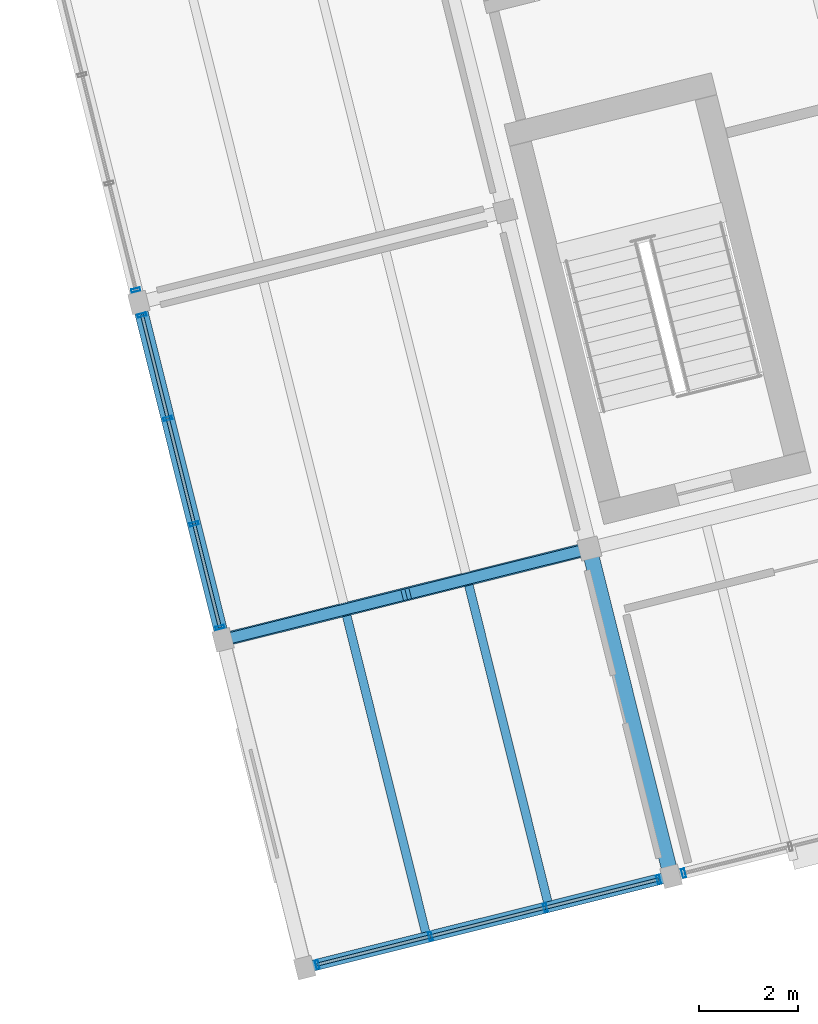
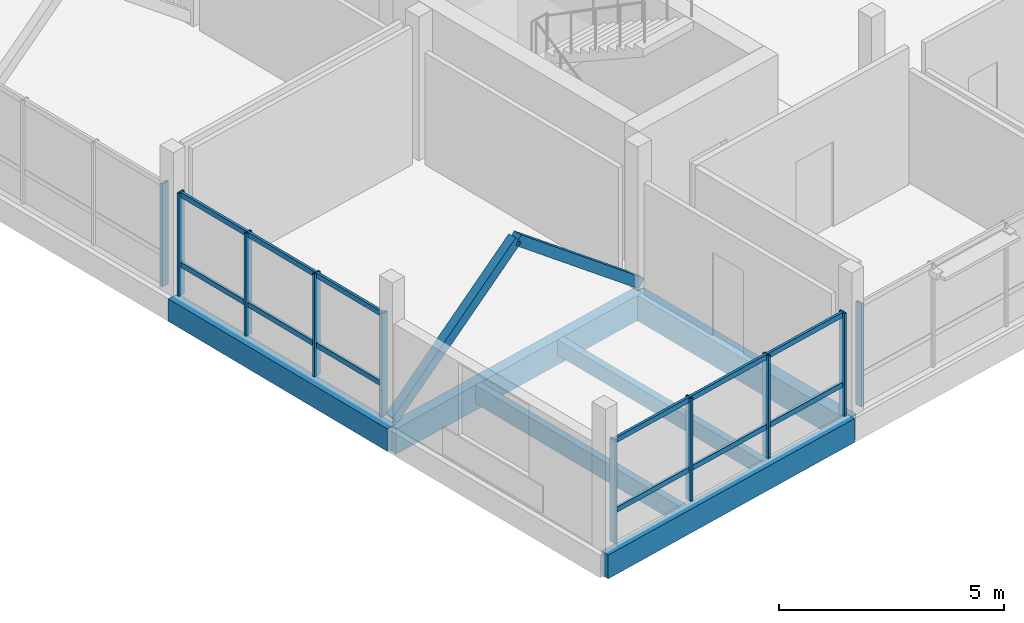
# One storey, part 2 of 27: 24 members, 6 beams, 4 elements without a shape of their own.
"""IFC4 building model written with IfcOpenShell, lengths in metres."""

from ifc_helpers import new_model, si_unit, direction, frame, origin, origin_2d, place, context, subcontext, project, spatial, rectangle, hollow_rectangle, extrude, material, layer, layer_set, material_profile, profile_set, type_object, element, aggregate, save


model = new_model("IFC4")

# Units and contexts
model_context = context("Model", 3, precision=1e-05, world=origin(), true_north=direction((0.0, 1.0)))
body_context = subcontext(model_context, "Body", "Model", "MODEL_VIEW")
ifc_project = project(units=[si_unit("LENGTHUNIT", "METRE"), si_unit("AREAUNIT", "SQUARE_METRE"), si_unit("VOLUMEUNIT", "CUBIC_METRE"), si_unit("PLANEANGLEUNIT", "RADIAN"), si_unit("MASSUNIT", "GRAM", prefix="KILO")], contexts=[model_context])

# Site, building, storey
site_placement = place(None, origin())
site = spatial("IfcSite", under=ifc_project, at=site_placement, CompositionType="ELEMENT")
building_placement = place(site_placement, origin())
building = spatial("IfcBuilding", under=site, at=building_placement, Name="Meriwether Solvik Hall", CompositionType="ELEMENT")
storey_placement = place(building_placement, frame((0.0, 0.0, 33.89990234375)))
storey = spatial("IfcBuildingStorey", under=building, at=storey_placement, Name="L08", CompositionType="ELEMENT", Elevation=33.89990234375)

# Beams
ifc_material_1 = material(Name="Glulam Douglas-Fir 24F-V8 GL28h", Category="wood")
ifc_material_profile_1 = material_profile(ifc_material_1, rectangle(XDim=0.221923828125, YDim=0.64501953125, at=origin_2d()), Name="GLB-222X645")
ifc_profile_set_1 = profile_set([ifc_material_profile_1], Name="Glulam Douglas-Fir 24F-V8 GL28h")
beam_type_1 = type_object("IfcBeamType", Name="BM-GL-222X645", PredefinedType="SPANDREL", material=ifc_profile_set_1)
beam_1_placement = place(storey_placement, frame((68.60009765625, 41.199951171875, -0.50244140625), z_axis=(0.970295366785, 0.241923337436, 0.0), x_axis=(-0.241923337436, 0.970295366785, 0.0)))
element("IfcBeam", 1, at=beam_1_placement, inside=storey, type_object=beam_type_1, Name="Tower Girder TA:T1-T2 (L08)", PredefinedType="SPANDREL", context=body_context, shape_type="SweptSolid", body=[
    extrude(rectangle(XDim=0.221923828125, YDim=0.64501953125, at=origin_2d()), origin(), (0.0, 0.0, 1.0), 7.60009765625),
])
ifc_material_2 = material(Name="Glulam Douglas-Fir 24F-V8 GL28h", Category="wood")
ifc_material_profile_2 = material_profile(ifc_material_2, rectangle(XDim=0.27294921875, YDim=0.610107421875, at=origin_2d()), Name="GLB-273X610")
ifc_profile_set_2 = profile_set([ifc_material_profile_2], Name="Glulam Douglas-Fir 24F-V8 GL28h")
beam_type_2 = type_object("IfcBeamType", Name="BM-GL-273X610", PredefinedType="SPANDREL", material=ifc_profile_set_2)
beam_2_placement = place(storey_placement, frame((66.954833984375, 47.798095703125, -0.48486328125), z_axis=(-0.241911879182, 0.970298223594, 0.0), x_axis=(-0.970298223594, -0.241911879182, 0.0)))
element("IfcBeam", 2, at=beam_2_placement, inside=storey, type_object=beam_type_2, Name="Tower Girder T1:TB-TC (L08)", PredefinedType="SPANDREL", context=body_context, shape_type="SweptSolid", body=[
    extrude(rectangle(XDim=0.27294921875, YDim=0.610107421875, at=origin_2d()), origin(), (0.0, 0.0, 1.0), 7.0),
])
ifc_material_3 = material(Name="Glulam Douglas-Fir 24F-V8 GL28h", Category="wood")
ifc_material_profile_3 = material_profile(ifc_material_3, rectangle(XDim=0.27294921875, YDim=0.68505859375, at=origin_2d()), Name="GLB-273X685")
ifc_profile_set_3 = profile_set([ifc_material_profile_3], Name="Glulam Douglas-Fir 24F-V8 GL28h")
beam_type_3 = type_object("IfcBeamType", Name="BM-GL-273X685", PredefinedType="BEAM", material=ifc_profile_set_3)
beam_3_placement = place(storey_placement, frame((66.954833984375, 47.798095703125, -0.5224609375), z_axis=(0.970295366785, 0.241923337436, 0.0), x_axis=(-0.241923337436, 0.970295366785, 0.0)))
element("IfcBeam", 3, at=beam_3_placement, inside=storey, type_object=beam_type_3, Name="Tower Girder TB:T1-T2 (L08)", PredefinedType="BEAM", context=body_context, shape_type="SweptSolid", body=[
    extrude(rectangle(XDim=0.27294921875, YDim=0.68505859375, at=origin_2d()), origin(), (0.0, 0.0, 1.0), 7.60009765625),
])
ifc_material_4 = material(Name="Glulam Douglas-Fir 24F-V8 GL28h", Category="wood")
ifc_material_profile_4 = material_profile(ifc_material_4, rectangle(XDim=0.31494140625, YDim=0.68505859375, at=origin_2d()), Name="GLB-315X685")
ifc_profile_set_4 = profile_set([ifc_material_profile_4], Name="Glulam Douglas-Fir 24F-V8 GL28h")
beam_type_4 = type_object("IfcBeamType", Name="BM-GL-315X685", PredefinedType="BEAM", material=ifc_profile_set_4)
beam_4_placement = place(storey_placement, frame((75.974365234375, 43.03857421875, -0.5224609375), z_axis=(-0.241944251278, 0.970290152106, 0.0), x_axis=(-0.970290152106, -0.241944251278, 0.0)))
element("IfcBeam", 4, at=beam_4_placement, inside=storey, type_object=beam_type_4, Name="Tower Girder T2:TA-TB (L08)", PredefinedType="BEAM", context=body_context, shape_type="SweptSolid", body=[
    extrude(rectangle(XDim=0.31494140625, YDim=0.68505859375, at=origin_2d()), origin(), (0.0, 0.0, 1.0), 6.80029296875),
])

# Curtain wall, members
ifc_material_5 = material(Name="Thermally Broken Anodised Aluminium 6063-T6 and Low-E Glass", Category="aluminium")
ifc_layer_1 = layer(ifc_material_5, 0.179931640625)
ifc_layer_set_1 = layer_set([ifc_layer_1], Name="Thermally Broken Anodised Aluminium 6063-T6 and Low-E Glass")
curtain_wall_type_1 = type_object("IfcCurtainWallType", Name="CW-UNIT-F", PredefinedType="USERDEFINED", material=ifc_layer_set_1)
curtain_wall_1_placement = place(storey_placement, origin())
curtain_wall_1 = element("IfcCurtainWall", 5, at=curtain_wall_1_placement, inside=storey, type_object=curtain_wall_type_1, Name="Curtain Wall E0_B0 (L08)", ObjectType="UNITISED CURTAIN WALL", PredefinedType="USERDEFINED")
ifc_material_6 = material(Name="Anodised Aluminium 6063-T6", Category="aluminium")
ifc_material_profile_5 = material_profile(ifc_material_6, hollow_rectangle(XDim=0.06494140625, YDim=0.179931640625, WallThickness=0.00439453125, at=origin_2d()), Name="CWM-65X180")
ifc_profile_set_5 = profile_set([ifc_material_profile_5], Name="Anodised Aluminium 6063-T6")
member_type_1 = type_object("IfcMemberType", Name="CW-MUL-65X180", PredefinedType="MULLION", material=ifc_profile_set_5)
member_1_placement = place(storey_placement, frame((75.721923828125, 42.975830078125, 0.0), z_axis=(0.0, 0.0, 1.0), x_axis=(-0.970295727285, -0.241921891552, 0.0)))
member_1 = element("IfcMember", 6, at=member_1_placement, type_object=member_type_1, Name="Curtain Wall Mullion 1", PredefinedType="MULLION", context=body_context, shape_type="SweptSolid", body=[
    extrude(hollow_rectangle(XDim=0.06494140625, YDim=0.179931640625, WallThickness=0.00439453125, at=origin_2d()), origin(), (0.0, 0.0, 1.0), 2.7900390625),
])
member_2_placement = place(storey_placement, frame((73.4443359375, 42.407958984375, 0.0), z_axis=(0.0, 0.0, 1.0), x_axis=(-0.970295727285, -0.241921891552, 0.0)))
member_2 = element("IfcMember", 7, at=member_2_placement, type_object=member_type_1, Name="Curtain Wall Mullion 2", PredefinedType="MULLION", context=body_context, shape_type="SweptSolid", body=[
    extrude(hollow_rectangle(XDim=0.06494140625, YDim=0.179931640625, WallThickness=0.00439453125, at=origin_2d()), origin(), (0.0, 0.0, 1.0), 2.7900390625),
])
member_3_placement = place(storey_placement, frame((71.1298828125, 41.830810546875, 0.0), z_axis=(0.0, 0.0, 1.0), x_axis=(-0.970295727285, -0.241921891552, 0.0)))
member_3 = element("IfcMember", 8, at=member_3_placement, type_object=member_type_1, Name="Curtain Wall Mullion 3", PredefinedType="MULLION", context=body_context, shape_type="SweptSolid", body=[
    extrude(hollow_rectangle(XDim=0.06494140625, YDim=0.179931640625, WallThickness=0.00439453125, at=origin_2d()), origin(), (0.0, 0.0, 1.0), 2.7900390625),
])
member_4_placement = place(storey_placement, frame((68.852294921875, 41.262939453125, 0.0), z_axis=(0.0, 0.0, 1.0), x_axis=(-0.970295727285, -0.241921891552, 0.0)))
member_4 = element("IfcMember", 9, at=member_4_placement, type_object=member_type_1, Name="Curtain Wall Mullion 4", PredefinedType="MULLION", context=body_context, shape_type="SweptSolid", body=[
    extrude(hollow_rectangle(XDim=0.06494140625, YDim=0.179931640625, WallThickness=0.00439453125, at=origin_2d()), origin(), (0.0, 0.0, 1.0), 2.7900390625),
])

# Curtain wall, member
ifc_material_7 = material(Name="Thermally Broken Anodised Aluminium 6063-T6 and Low-E Glass", Category="aluminium")
ifc_layer_2 = layer(ifc_material_7, 0.179931640625)
ifc_layer_set_2 = layer_set([ifc_layer_2], Name="Thermally Broken Anodised Aluminium 6063-T6 and Low-E Glass")
curtain_wall_type_2 = type_object("IfcCurtainWallType", Name="CW-UNIT-G", PredefinedType="USERDEFINED", material=ifc_layer_set_2)
curtain_wall_2_placement = place(storey_placement, origin())
curtain_wall_2 = element("IfcCurtainWall", 10, at=curtain_wall_2_placement, inside=storey, type_object=curtain_wall_type_2, Name="Curtain Wall E0_B1 (L08)", ObjectType="UNITISED CURTAIN WALL", PredefinedType="USERDEFINED")
member_5_placement = place(storey_placement, frame((76.2265625, 43.1015625, 0.0), z_axis=(0.0, 0.0, 1.0), x_axis=(-0.970295738259, -0.241921847539, 0.0)))
member_5 = element("IfcMember", 11, at=member_5_placement, type_object=member_type_1, Name="Curtain Wall Mullion 4", PredefinedType="MULLION", context=body_context, shape_type="SweptSolid", body=[
    extrude(hollow_rectangle(XDim=0.06494140625, YDim=0.179931640625, WallThickness=0.00439453125, at=origin_2d()), origin(), (0.0, 0.0, 1.0), 2.7900390625),
])
aggregate(curtain_wall_2, [member_5])

# Curtain wall, members
curtain_wall_3_placement = place(storey_placement, origin())
curtain_wall_3 = element("IfcCurtainWall", 12, at=curtain_wall_3_placement, inside=storey, type_object=curtain_wall_type_2, Name="Curtain Wall E7_B1 (L08)", ObjectType="UNITISED CURTAIN WALL", PredefinedType="USERDEFINED")
member_6_placement = place(storey_placement, frame((66.89208984375, 48.05029296875, 0.0), z_axis=(0.0, 0.0, 1.0), x_axis=(-0.241921787504, 0.970295753227, 0.0)))
member_6 = element("IfcMember", 13, at=member_6_placement, type_object=member_type_1, Name="Curtain Wall Mullion 1", PredefinedType="MULLION", context=body_context, shape_type="SweptSolid", body=[
    extrude(hollow_rectangle(XDim=0.06494140625, YDim=0.179931640625, WallThickness=0.00439453125, at=origin_2d()), origin(), (0.0, 0.0, 1.0), 2.7900390625),
])
member_7_placement = place(storey_placement, frame((66.37255859375, 50.1337890625, 0.0), z_axis=(0.0, 0.0, 1.0), x_axis=(-0.241921787504, 0.970295753227, 0.0)))
member_7 = element("IfcMember", 14, at=member_7_placement, type_object=member_type_1, Name="Curtain Wall Mullion 2", PredefinedType="MULLION", context=body_context, shape_type="SweptSolid", body=[
    extrude(hollow_rectangle(XDim=0.06494140625, YDim=0.179931640625, WallThickness=0.00439453125, at=origin_2d()), origin(), (0.0, 0.0, 1.0), 2.7900390625),
])
member_8_placement = place(storey_placement, frame((65.84375, 52.254150390625, 0.0), z_axis=(0.0, 0.0, 1.0), x_axis=(-0.241921787504, 0.970295753227, 0.0)))
member_8 = element("IfcMember", 15, at=member_8_placement, type_object=member_type_1, Name="Curtain Wall Mullion 3", PredefinedType="MULLION", context=body_context, shape_type="SweptSolid", body=[
    extrude(hollow_rectangle(XDim=0.06494140625, YDim=0.179931640625, WallThickness=0.00439453125, at=origin_2d()), origin(), (0.0, 0.0, 1.0), 2.7900390625),
])
member_9_placement = place(storey_placement, frame((65.324462890625, 54.337890625, 0.0), z_axis=(0.0, 0.0, 1.0), x_axis=(-0.241921787504, 0.970295753227, 0.0)))
member_9 = element("IfcMember", 16, at=member_9_placement, type_object=member_type_1, Name="Curtain Wall Mullion 4", PredefinedType="MULLION", context=body_context, shape_type="SweptSolid", body=[
    extrude(hollow_rectangle(XDim=0.06494140625, YDim=0.179931640625, WallThickness=0.00439453125, at=origin_2d()), origin(), (0.0, 0.0, 1.0), 2.7900390625),
])

# Curtain wall, member
ifc_material_8 = material(Name="Thermally Broken Anodised Aluminium 6063-T6 and Low-E Glass", Category="aluminium")
ifc_layer_3 = layer(ifc_material_8, 0.179931640625)
ifc_layer_set_3 = layer_set([ifc_layer_3], Name="Thermally Broken Anodised Aluminium 6063-T6 and Low-E Glass")
curtain_wall_type_3 = type_object("IfcCurtainWallType", Name="CW-UNIT-A", PredefinedType="USERDEFINED", material=ifc_layer_set_3)
curtain_wall_4_placement = place(storey_placement, origin())
curtain_wall_4 = element("IfcCurtainWall", 17, at=curtain_wall_4_placement, inside=storey, type_object=curtain_wall_type_3, Name="Curtain Wall E7_B2 (L08)", ObjectType="UNITISED CURTAIN WALL", PredefinedType="USERDEFINED")
member_10_placement = place(storey_placement, frame((65.198486328125, 54.84228515625, 0.0), z_axis=(0.0, 0.0, 1.0), x_axis=(-0.241921847539, 0.970295738259, 0.0)))
member_10 = element("IfcMember", 18, at=member_10_placement, type_object=member_type_1, Name="Curtain Wall Mullion 1", PredefinedType="MULLION", context=body_context, shape_type="SweptSolid", body=[
    extrude(hollow_rectangle(XDim=0.06494140625, YDim=0.179931640625, WallThickness=0.00439453125, at=origin_2d()), origin(), (0.0, 0.0, 1.0), 2.7900390625),
])
aggregate(curtain_wall_4, [member_10])

# Member
ifc_material_9 = material(Name="Anodised Aluminium 6063-T6", Category="aluminium")
ifc_material_profile_6 = material_profile(ifc_material_9, hollow_rectangle(XDim=0.06494140625, YDim=0.139892578125, WallThickness=0.00439453125, at=origin_2d()), Name="CWT-65X140")
ifc_profile_set_6 = profile_set([ifc_material_profile_6], Name="Anodised Aluminium 6063-T6")
member_type_2 = type_object("IfcMemberType", Name="CW-TRN-65X140", PredefinedType="USERDEFINED", material=ifc_profile_set_6)
member_11_placement = place(storey_placement, frame((75.721923828125, 42.975830078125, 0.837158203125), z_axis=(-0.970295260897, -0.241923762123, 0.0), x_axis=(0.241923762123, -0.970295260897, 0.0)))
member_11 = element("IfcMember", 19, at=member_11_placement, type_object=member_type_2, Name="Curtain Wall Transom 1-sill", ObjectType="TRANSOM", PredefinedType="USERDEFINED", context=body_context, shape_type="SweptSolid", body=[
    extrude(hollow_rectangle(XDim=0.06494140625, YDim=0.139892578125, WallThickness=0.00439453125, at=origin_2d()), origin(), (0.0, 0.0, 1.0), 2.347412109375),
])

member_12_placement = place(storey_placement, frame((75.721923828125, 42.975830078125, 2.72998046875), z_axis=(-0.970295260897, -0.241923762123, 0.0), x_axis=(0.241923762123, -0.970295260897, 0.0)))
member_12 = element("IfcMember", 20, at=member_12_placement, type_object=member_type_2, Name="Curtain Wall Transom 1-head", ObjectType="TRANSOM", PredefinedType="USERDEFINED", context=body_context, shape_type="SweptSolid", body=[
    extrude(hollow_rectangle(XDim=0.06494140625, YDim=0.139892578125, WallThickness=0.00439453125, at=origin_2d()), origin(), (0.0, 0.0, 1.0), 2.347412109375),
])

member_13_placement = place(storey_placement, frame((73.4443359375, 42.407958984375, 0.837158203125), z_axis=(-0.970286823405, -0.241957600267, 0.0), x_axis=(0.241957600267, -0.970286823405, 0.0)))
member_13 = element("IfcMember", 21, at=member_13_placement, type_object=member_type_2, Name="Curtain Wall Transom 2-sill", ObjectType="TRANSOM", PredefinedType="USERDEFINED", context=body_context, shape_type="SweptSolid", body=[
    extrude(hollow_rectangle(XDim=0.06494140625, YDim=0.139892578125, WallThickness=0.00439453125, at=origin_2d()), origin(), (0.0, 0.0, 1.0), 2.38525390625),
])

member_14_placement = place(storey_placement, frame((73.4443359375, 42.407958984375, 2.72998046875), z_axis=(-0.970286823405, -0.241957600267, 0.0), x_axis=(0.241957600267, -0.970286823405, 0.0)))
member_14 = element("IfcMember", 22, at=member_14_placement, type_object=member_type_2, Name="Curtain Wall Transom 2-head", ObjectType="TRANSOM", PredefinedType="USERDEFINED", context=body_context, shape_type="SweptSolid", body=[
    extrude(hollow_rectangle(XDim=0.06494140625, YDim=0.139892578125, WallThickness=0.00439453125, at=origin_2d()), origin(), (0.0, 0.0, 1.0), 2.38525390625),
])

member_15_placement = place(storey_placement, frame((71.1298828125, 41.830810546875, 0.837158203125), z_axis=(-0.970295260897, -0.241923762123, 0.0), x_axis=(0.241923762123, -0.970295260897, 0.0)))
member_15 = element("IfcMember", 23, at=member_15_placement, type_object=member_type_2, Name="Curtain Wall Transom 3-sill", ObjectType="TRANSOM", PredefinedType="USERDEFINED", context=body_context, shape_type="SweptSolid", body=[
    extrude(hollow_rectangle(XDim=0.06494140625, YDim=0.139892578125, WallThickness=0.00439453125, at=origin_2d()), origin(), (0.0, 0.0, 1.0), 2.347412109375),
])

member_16_placement = place(storey_placement, frame((71.1298828125, 41.830810546875, 2.72998046875), z_axis=(-0.970295260897, -0.241923762123, 0.0), x_axis=(0.241923762123, -0.970295260897, 0.0)))
member_16 = element("IfcMember", 24, at=member_16_placement, type_object=member_type_2, Name="Curtain Wall Transom 3-head", ObjectType="TRANSOM", PredefinedType="USERDEFINED", context=body_context, shape_type="SweptSolid", body=[
    extrude(hollow_rectangle(XDim=0.06494140625, YDim=0.139892578125, WallThickness=0.00439453125, at=origin_2d()), origin(), (0.0, 0.0, 1.0), 2.347412109375),
])

aggregate(curtain_wall_1, [member_1, member_2, member_3, member_4, member_11, member_12, member_13, member_14, member_15, member_16])

member_17_placement = place(storey_placement, frame((66.89208984375, 48.05029296875, 0.837158203125), z_axis=(-0.241947031677, 0.970289458802, 0.0), x_axis=(-0.970289458802, -0.241947031677, 0.0)))
member_17 = element("IfcMember", 25, at=member_17_placement, type_object=member_type_2, Name="Curtain Wall Transom 1-sill", ObjectType="TRANSOM", PredefinedType="USERDEFINED", context=body_context, shape_type="SweptSolid", body=[
    extrude(hollow_rectangle(XDim=0.06494140625, YDim=0.139892578125, WallThickness=0.00439453125, at=origin_2d()), origin(), (0.0, 0.0, 1.0), 2.147216796875),
])

member_18_placement = place(storey_placement, frame((66.89208984375, 48.05029296875, 2.72998046875), z_axis=(-0.241947031677, 0.970289458802, 0.0), x_axis=(-0.970289458802, -0.241947031677, 0.0)))
member_18 = element("IfcMember", 26, at=member_18_placement, type_object=member_type_2, Name="Curtain Wall Transom 1-head", ObjectType="TRANSOM", PredefinedType="USERDEFINED", context=body_context, shape_type="SweptSolid", body=[
    extrude(hollow_rectangle(XDim=0.06494140625, YDim=0.139892578125, WallThickness=0.00439453125, at=origin_2d()), origin(), (0.0, 0.0, 1.0), 2.147216796875),
])

member_19_placement = place(storey_placement, frame((66.37255859375, 50.1337890625, 0.837158203125), z_axis=(-0.241983562004, 0.970280349033, 0.0), x_axis=(-0.970280349033, -0.241983562004, 0.0)))
member_19 = element("IfcMember", 27, at=member_19_placement, type_object=member_type_2, Name="Curtain Wall Transom 2-sill", ObjectType="TRANSOM", PredefinedType="USERDEFINED", context=body_context, shape_type="SweptSolid", body=[
    extrude(hollow_rectangle(XDim=0.06494140625, YDim=0.139892578125, WallThickness=0.00439453125, at=origin_2d()), origin(), (0.0, 0.0, 1.0), 2.185302734375),
])

member_20_placement = place(storey_placement, frame((66.37255859375, 50.1337890625, 2.72998046875), z_axis=(-0.241983562004, 0.970280349033, 0.0), x_axis=(-0.970280349033, -0.241983562004, 0.0)))
member_20 = element("IfcMember", 28, at=member_20_placement, type_object=member_type_2, Name="Curtain Wall Transom 2-head", ObjectType="TRANSOM", PredefinedType="USERDEFINED", context=body_context, shape_type="SweptSolid", body=[
    extrude(hollow_rectangle(XDim=0.06494140625, YDim=0.139892578125, WallThickness=0.00439453125, at=origin_2d()), origin(), (0.0, 0.0, 1.0), 2.185302734375),
])

member_21_placement = place(storey_placement, frame((65.84375, 52.254150390625, 0.837158203125), z_axis=(-0.241813307838, 0.970322793792, 0.0), x_axis=(-0.970322793792, -0.241813307838, 0.0)))
member_21 = element("IfcMember", 29, at=member_21_placement, type_object=member_type_2, Name="Curtain Wall Transom 3-sill", ObjectType="TRANSOM", PredefinedType="USERDEFINED", context=body_context, shape_type="SweptSolid", body=[
    extrude(hollow_rectangle(XDim=0.06494140625, YDim=0.139892578125, WallThickness=0.00439453125, at=origin_2d()), origin(), (0.0, 0.0, 1.0), 2.1474609375),
])

member_22_placement = place(storey_placement, frame((65.84375, 52.254150390625, 2.72998046875), z_axis=(-0.241813307838, 0.970322793792, 0.0), x_axis=(-0.970322793792, -0.241813307838, 0.0)))
member_22 = element("IfcMember", 30, at=member_22_placement, type_object=member_type_2, Name="Curtain Wall Transom 3-head", ObjectType="TRANSOM", PredefinedType="USERDEFINED", context=body_context, shape_type="SweptSolid", body=[
    extrude(hollow_rectangle(XDim=0.06494140625, YDim=0.139892578125, WallThickness=0.00439453125, at=origin_2d()), origin(), (0.0, 0.0, 1.0), 2.1474609375),
])

aggregate(curtain_wall_3, [member_6, member_7, member_8, member_9, member_17, member_18, member_19, member_20, member_21, member_22])

# Beams
ifc_material_10 = material(Name="Glulam Douglas-Fir 24F-V8 GL28h", Category="wood")
ifc_material_profile_7 = material_profile(ifc_material_10, rectangle(XDim=0.175048828125, YDim=0.419921875, at=origin_2d()), Name="GLJ-175X420")
ifc_profile_set_7 = profile_set([ifc_material_profile_7], Name="Glulam Douglas-Fir 24F-V8 GL28h")
beam_type_5 = type_object("IfcBeamType", Name="JST-GL-175X420", PredefinedType="JOIST", material=ifc_profile_set_7)
beam_5_placement = place(storey_placement, frame((73.490478515625, 42.528564453125, -0.389892578125), z_axis=(-0.241922842305, 0.970295490235, 0.0), x_axis=(-0.970295490235, -0.241922842305, 0.0)))
element("IfcBeam", 31, at=beam_5_placement, inside=storey, type_object=beam_type_5, Name="Glulam Floor Joist T1/TA-J2 (L08)", PredefinedType="JOIST", context=body_context, shape_type="SweptSolid", body=[
    extrude(rectangle(XDim=0.175048828125, YDim=0.419921875, at=origin_2d()), origin(), (0.0, 0.0, 1.0), 6.5625),
])
ifc_material_11 = material(Name="Glulam Douglas-Fir 24F-V8 GL28h", Category="wood")
ifc_material_profile_8 = material_profile(ifc_material_11, rectangle(XDim=0.175048828125, YDim=0.4951171875, at=origin_2d()), Name="GLJ-175X495")
ifc_profile_set_8 = profile_set([ifc_material_profile_8], Name="Glulam Douglas-Fir 24F-V8 GL28h")
beam_type_6 = type_object("IfcBeamType", Name="JST-GL-175X495", PredefinedType="JOIST", material=ifc_profile_set_8)
beam_6_placement = place(storey_placement, frame((71.032470703125, 41.915771484375, -0.427490234375), z_axis=(-0.241931575219, 0.970293312824, 0.0), x_axis=(-0.970293312824, -0.241931575219, 0.0)))
element("IfcBeam", 32, at=beam_6_placement, inside=storey, type_object=beam_type_6, Name="Glulam Floor Joist T1/TA-J1 (L08)", PredefinedType="JOIST", context=body_context, shape_type="SweptSolid", body=[
    extrude(rectangle(XDim=0.175048828125, YDim=0.4951171875, at=origin_2d()), origin(), (0.0, 0.0, 1.0), 6.5625),
])

# Members
ifc_material_12 = material(Name="Glulam Douglas-Fir 24F-V8 GL28h", Category="wood")
ifc_material_profile_9 = material_profile(ifc_material_12, rectangle(XDim=0.221923828125, YDim=0.26708984375, at=origin_2d()), Name="GLM-222X267")
ifc_profile_set_9 = profile_set([ifc_material_profile_9], Name="Glulam Douglas-Fir 24F-V8 GL28h")
member_type_3 = type_object("IfcMemberType", Name="MEM-BR-GL222", PredefinedType="BRACE", material=ifc_profile_set_9)
member_23_placement = place(storey_placement, frame((66.954833984375, 47.798095703125, 0.050048828125), z_axis=(0.759133840531, 0.189243124518, 0.622818474344), x_axis=(-0.241885553952, 0.970304786544, 0.0)))
element("IfcMember", 33, at=member_23_placement, inside=storey, type_object=member_type_3, Name="Tower Chevron Brace L08-B1A", PredefinedType="BRACE", context=body_context, shape_type="SweptSolid", body=[
    extrude(rectangle(XDim=0.221923828125, YDim=0.26708984375, at=origin_2d()), origin(), (0.0, 0.0, 1.0), 4.857177734375),
])
member_24_placement = place(storey_placement, frame((74.3291015625, 49.63671875, 0.050048828125), z_axis=(-0.759105319612, -0.189298810334, 0.622836314085), x_axis=(0.241961122321, -0.970285945114, 0.0)))
element("IfcMember", 34, at=member_24_placement, inside=storey, type_object=member_type_3, Name="Tower Chevron Brace L08-B1B", PredefinedType="BRACE", context=body_context, shape_type="SweptSolid", body=[
    extrude(rectangle(XDim=0.221923828125, YDim=0.26708984375, at=origin_2d()), origin(), (0.0, 0.0, 1.0), 4.85693359375),
])

save(model, "model.ifc")
